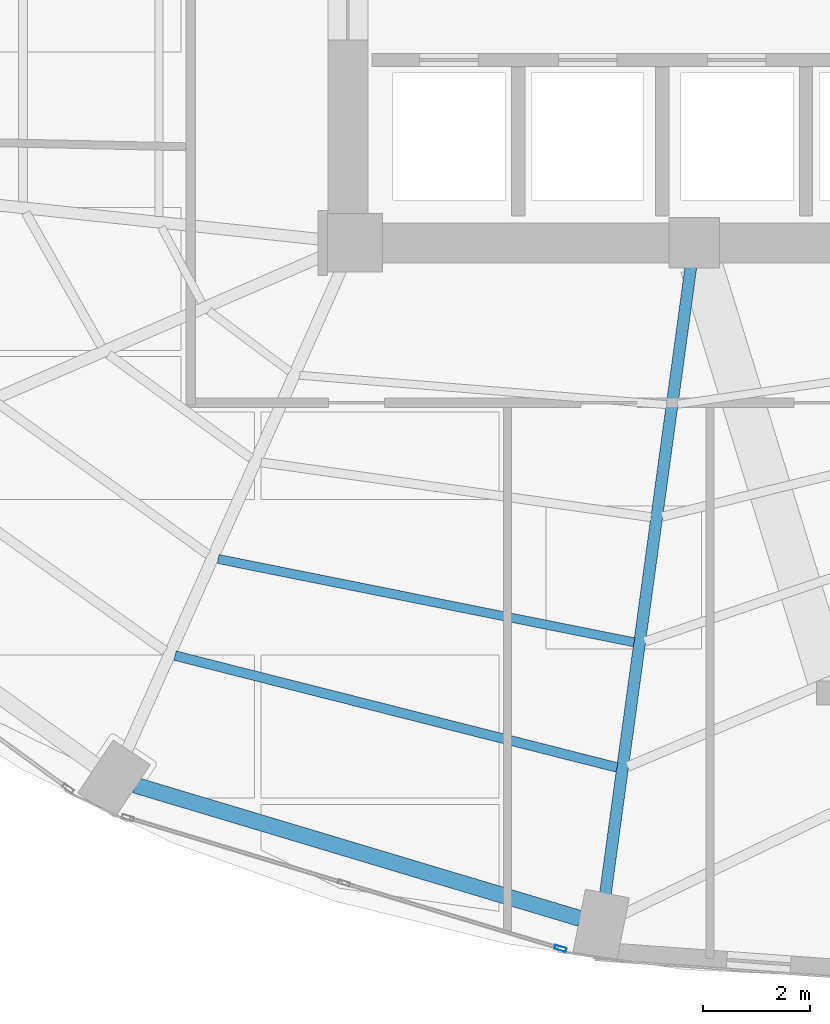
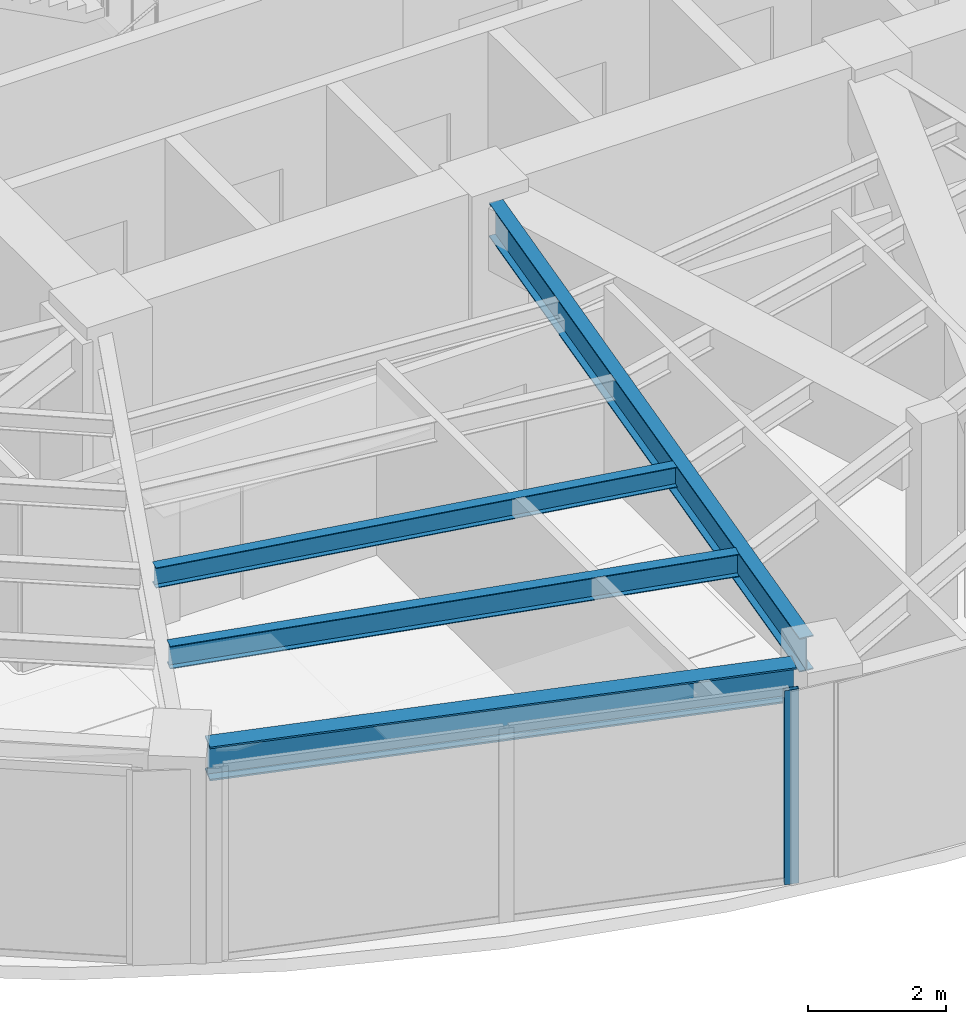
# One storey, part 5 of 23: 4 beams, 1 member, 1 element without a shape of its own.
"""IFC4 building model written with IfcOpenShell, lengths in metres."""

from ifc_helpers import new_model, si_unit, direction, frame, origin, origin_2d, place, context, subcontext, project, spatial, hollow_rectangle, i_section, extrude, material, layer, layer_set, material_profile, profile_set, type_object, element, aggregate, save


model = new_model("IFC4")

# Units and contexts
model_context = context("Model", 3, precision=1e-05, world=origin(), true_north=direction((0.0, 1.0)))
body_context = subcontext(model_context, "Body", "Model", "MODEL_VIEW")
ifc_project = project(units=[si_unit("LENGTHUNIT", "METRE"), si_unit("AREAUNIT", "SQUARE_METRE"), si_unit("VOLUMEUNIT", "CUBIC_METRE"), si_unit("PLANEANGLEUNIT", "RADIAN"), si_unit("MASSUNIT", "GRAM", prefix="KILO")], contexts=[model_context])

# Site, building, storey
site_placement = place(None, origin())
site = spatial("IfcSite", under=ifc_project, at=site_placement, CompositionType="ELEMENT")
building_placement = place(site_placement, origin())
building = spatial("IfcBuilding", under=site, at=building_placement, Name="Lazwardi Medical Tower", CompositionType="ELEMENT")
storey_placement = place(building_placement, frame((0.0, 0.0, 85.39208984375)))
storey = spatial("IfcBuildingStorey", under=building, at=storey_placement, Name="L21", CompositionType="ELEMENT", Elevation=85.39208984375)

# Beams
ifc_material_1 = material(Name="Steel S355", Category="steel")
ifc_material_profile_1 = material_profile(ifc_material_1, i_section(OverallWidth=0.300048828125, OverallDepth=0.60009765625, WebThickness=0.015380859375, FlangeThickness=0.030029296875, at=origin_2d()), Name="HEB 600")
ifc_profile_set_1 = profile_set([ifc_material_profile_1], Name="Steel S355")
beam_type_1 = type_object("IfcBeamType", Name="BM-RB-Z2", PredefinedType="BEAM", material=ifc_profile_set_1)
beam_1_placement = place(storey_placement, frame((22.30908203125, 10.224609375, 3.1279296875), z_axis=(0.957879438442, -0.287170648587, 0.0), x_axis=(0.287170648587, 0.957879438442, 0.0)))
element("IfcBeam", 1, at=beam_1_placement, inside=storey, type_object=beam_type_1, Name="Ring beam RB-03 B15 L21", PredefinedType="BEAM", context=body_context, shape_type="SweptSolid", body=[
    extrude(i_section(OverallWidth=0.300048828125, OverallDepth=0.60009765625, WebThickness=0.015380859375, FlangeThickness=0.030029296875, at=origin_2d()), origin(), (0.0, 0.0, 1.0), 8.719970703125),
])
ifc_material_profile_2 = material_profile(ifc_material_1, i_section(OverallWidth=0.219970703125, OverallDepth=0.60009765625, WebThickness=0.011962890625, FlangeThickness=0.01904296875, at=origin_2d()), Name="IPE 600")
ifc_profile_set_2 = profile_set([ifc_material_profile_2], Name="Steel S355")
beam_type_2 = type_object("IfcBeamType", Name="BM-RG-W1", PredefinedType="BEAM", material=ifc_profile_set_2)
beam_2_placement = place(storey_placement, frame((31.1328125, 8.17724609375, 3.1279296875), z_axis=(0.135147148002, 0.990825538825, 0.0), x_axis=(-0.990825538825, 0.135147148002, 0.0)))
element("IfcBeam", 2, at=beam_2_placement, inside=storey, type_object=beam_type_2, Name="Radial girder RG-02 R16 L21", PredefinedType="BEAM", context=body_context, shape_type="SweptSolid", body=[
    extrude(i_section(OverallWidth=0.219970703125, OverallDepth=0.60009765625, WebThickness=0.011962890625, FlangeThickness=0.01904296875, at=origin_2d()), origin(), (0.0, 0.0, 1.0), 11.875732421875),
])
ifc_material_profile_3 = material_profile(ifc_material_1, i_section(OverallWidth=0.179931640625, OverallDepth=0.39990234375, WebThickness=0.008544921875, FlangeThickness=0.013427734375, at=origin_2d()), Name="IPE 400")
ifc_profile_set_3 = profile_set([ifc_material_profile_3], Name="Steel S355")
beam_type_3 = type_object("IfcBeamType", Name="BM-SJ-01", PredefinedType="JOIST", material=ifc_profile_set_3)
beam_3_placement = place(storey_placement, frame((23.060302734375, 12.654296875, 3.22802734375), z_axis=(0.96945186753, -0.245281626997, 0.0), x_axis=(0.245281626997, 0.96945186753, 0.0)))
element("IfcBeam", 3, at=beam_3_placement, inside=storey, type_object=beam_type_3, Name="Secondary joist SJ-01 R1 B15 L21", PredefinedType="JOIST", context=body_context, shape_type="SweptSolid", body=[
    extrude(i_section(OverallWidth=0.179931640625, OverallDepth=0.39990234375, WebThickness=0.008544921875, FlangeThickness=0.013427734375, at=origin_2d()), origin(), (0.0, 0.0, 1.0), 8.552978515625),
])
ifc_material_profile_4 = material_profile(ifc_material_1, i_section(OverallWidth=0.169921875, OverallDepth=0.360107421875, WebThickness=0.008056640625, FlangeThickness=0.0126953125, at=origin_2d()), Name="IPE 360")
ifc_profile_set_4 = profile_set([ifc_material_profile_4], Name="Steel S355")
beam_type_4 = type_object("IfcBeamType", Name="BM-SJ-02", PredefinedType="JOIST", material=ifc_profile_set_4)
beam_4_placement = place(storey_placement, frame((23.8671875, 14.46728515625, 3.247802734375), z_axis=(0.980542906584, -0.196304886203, 0.0), x_axis=(0.196304886203, 0.980542906584, 0.0)))
element("IfcBeam", 4, at=beam_4_placement, inside=storey, type_object=beam_type_4, Name="Secondary joist SJ-02 R2 B15 L21", PredefinedType="JOIST", context=body_context, shape_type="SweptSolid", body=[
    extrude(i_section(OverallWidth=0.169921875, OverallDepth=0.360107421875, WebThickness=0.008056640625, FlangeThickness=0.0126953125, at=origin_2d()), origin(), (0.0, 0.0, 1.0), 7.95947265625),
])

# Curtain wall, member
ifc_material_2 = material(Name="Anodised bronze aluminium and solar control glazing", Category="aluminium")
ifc_layer = layer(ifc_material_2, 0.195068359375)
ifc_layer_set = layer_set([ifc_layer], Name="Anodised bronze aluminium and solar control glazing")
curtain_wall_type = type_object("IfcCurtainWallType", Name="CW-SYS-03", PredefinedType="NOTDEFINED", material=ifc_layer_set)
curtain_wall_placement = place(storey_placement, origin())
curtain_wall = element("IfcCurtainWall", 5, at=curtain_wall_placement, inside=storey, type_object=curtain_wall_type, Name="L21 Unitised bronze curtain wall CW-03", PredefinedType="NOTDEFINED")
ifc_material_3 = material(Name="Anodised bronze aluminium", Category="aluminium")
ifc_material_profile_5 = material_profile(ifc_material_3, hollow_rectangle(XDim=0.074951171875, YDim=0.219970703125, WallThickness=0.00390625, at=origin_2d()), Name="ALU-MULLION 220x75x4")
ifc_profile_set_5 = profile_set([ifc_material_profile_5], Name="Anodised bronze aluminium")
member_type = type_object("IfcMemberType", Name="CW-MUL-01", PredefinedType="MULLION", material=ifc_profile_set_5)
member_placement = place(storey_placement, frame((30.289794921875, 7.159912109375, 0.0), z_axis=(0.0, 0.0, 1.0), x_axis=(0.28937381157, 0.957216170558, 0.0)))
member = element("IfcMember", 6, at=member_placement, type_object=member_type, Name="CW-03 mullion 3", PredefinedType="MULLION", context=body_context, shape_type="SweptSolid", body=[
    extrude(hollow_rectangle(XDim=0.074951171875, YDim=0.219970703125, WallThickness=0.00390625, at=origin_2d()), origin(), (0.0, 0.0, 1.0), 3.427978515625),
])
aggregate(curtain_wall, [member])

save(model, "model.ifc")
